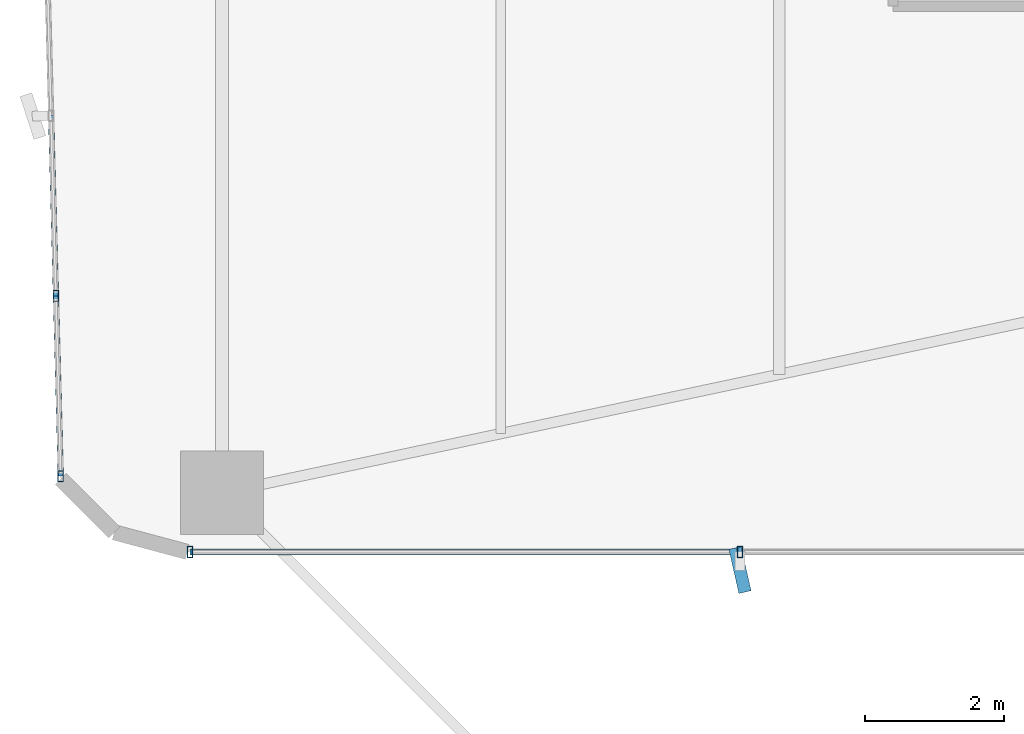
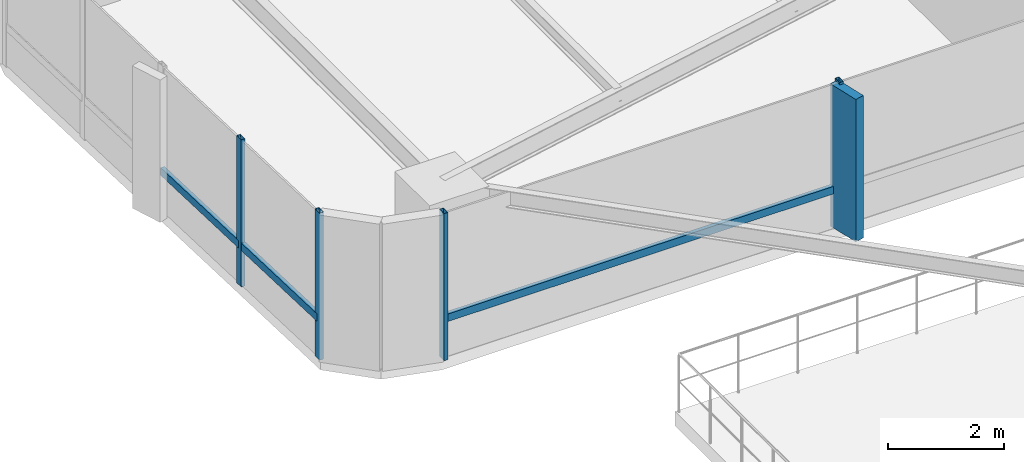
# One storey, part 5 of 27: 8 members, 2 elements without a shape of their own.
"""IFC4 building model written with IfcOpenShell, lengths in metres."""

from ifc_helpers import new_model, si_unit, direction, frame, origin, origin_2d, place, context, subcontext, project, spatial, rectangle, hollow_rectangle, extrude, source, transform, mapped, material, material_profile, profile_set, type_object, element, aggregate, save


model = new_model("IFC4")

# Units and contexts
model_context = context("Model", 3, precision=1e-05, world=origin(), true_north=direction((0.0, 1.0)))
body_context = subcontext(model_context, "Body", "Model", "MODEL_VIEW")
ifc_project = project(units=[si_unit("LENGTHUNIT", "METRE"), si_unit("AREAUNIT", "SQUARE_METRE"), si_unit("VOLUMEUNIT", "CUBIC_METRE"), si_unit("PLANEANGLEUNIT", "RADIAN"), si_unit("MASSUNIT", "GRAM", prefix="KILO")], contexts=[model_context])

# Site, building, storey
site_placement = place(None, origin())
site = spatial("IfcSite", under=ifc_project, at=site_placement, CompositionType="ELEMENT")
building_placement = place(site_placement, origin())
building = spatial("IfcBuilding", under=site, at=building_placement, Name="Sahyath Konkavel Grand Hotel", CompositionType="ELEMENT")
storey_placement = place(building_placement, frame((0.0, 0.0, 23.10009765625)))
storey = spatial("IfcBuildingStorey", under=building, at=storey_placement, Name="L05", CompositionType="ELEMENT", Elevation=23.10009765625)

# Curtain wall, members
ifc_material_1 = material(Name="Anodised Bronze Aluminium & Low-E Glazing", Category="aluminium")
curtain_wall_type = type_object("IfcCurtainWallType", Name="CW-ZONE1", PredefinedType="NOTDEFINED", material=ifc_material_1)
curtain_wall_1_placement = place(storey_placement, origin())
curtain_wall_1 = element("IfcCurtainWall", 1, at=curtain_wall_1_placement, inside=storey, type_object=curtain_wall_type, Name="L05 Unitised Curtain Wall F20", PredefinedType="NOTDEFINED")
ifc_material_2 = material(Name="Anodised Bronze Aluminium", Category="aluminium")
ifc_material_profile_1 = material_profile(ifc_material_2, hollow_rectangle(XDim=0.080078125, YDim=0.159912109375, WallThickness=0.006103515625, at=origin_2d()), Name="RHS 160x80x6")
ifc_profile_set_1 = profile_set([ifc_material_profile_1], Name="Anodised Bronze Aluminium")
member_type_1 = type_object("IfcMemberType", Name="CW-MUL-160", PredefinedType="MULLION", material=ifc_profile_set_1)
shared_shape_1 = source(origin(), body_context, "Body", "SweptSolid", [
    extrude(hollow_rectangle(XDim=0.080078125, YDim=0.159912109375, WallThickness=0.006103515625, at=origin_2d()), origin(), (0.0, 0.0, 1.0), 3.10986328125),
])
member_1_placement = place(storey_placement, frame((-24.589599609375, -3.117431640625, 0.0), z_axis=(0.0, 0.0, 1.0), x_axis=(1.0, 0.0, 0.0)))
member_1 = element("IfcMember", 2, at=member_1_placement, type_object=member_type_1, Name="L05 Curtain Wall Mullion F20-3", PredefinedType="MULLION", context=body_context, shape_type="MappedRepresentation", body=[
    mapped(shared_shape_1, transform((0.0, 0.0, 0.0), scale=1.0)),
])
member_2_placement = place(storey_placement, frame((-24.519775390625, -5.7099609375, 0.0), z_axis=(0.0, 0.0, 1.0), x_axis=(1.0, 0.0, 0.0)))
member_2 = element("IfcMember", 3, at=member_2_placement, type_object=member_type_1, Name="L05 Curtain Wall Mullion F20-4", PredefinedType="MULLION", context=body_context, shape_type="MappedRepresentation", body=[
    mapped(shared_shape_1, transform((0.0, 0.0, 0.0), scale=1.0)),
])

curtain_wall_2_placement = place(storey_placement, origin())
curtain_wall_2 = element("IfcCurtainWall", 4, at=curtain_wall_2_placement, inside=storey, type_object=curtain_wall_type, Name="L05 Unitised Curtain Wall F23", PredefinedType="NOTDEFINED")
member_3_placement = place(storey_placement, frame((-22.659912109375, -6.800048828125, 0.0), z_axis=(0.0, 0.0, 1.0), x_axis=(1.0, 0.0, 0.0)))
member_3 = element("IfcMember", 5, at=member_3_placement, type_object=member_type_1, Name="L05 Curtain Wall Mullion F23-0", PredefinedType="MULLION", context=body_context, shape_type="MappedRepresentation", body=[
    mapped(shared_shape_1, transform((0.0, 0.0, 0.0), scale=1.0)),
])
member_4_placement = place(storey_placement, frame((-14.75, -6.800048828125, 0.0), z_axis=(0.0, 0.0, 1.0), x_axis=(1.0, 0.0, 0.0)))
member_4 = element("IfcMember", 6, at=member_4_placement, type_object=member_type_1, Name="L05 Curtain Wall Mullion F23-1", PredefinedType="MULLION", context=body_context, shape_type="MappedRepresentation", body=[
    mapped(shared_shape_1, transform((0.0, 0.0, 0.0), scale=1.0)),
])
ifc_material_3 = material(Name="Warm Buff Sandstone Cladding on Concrete C50/60", Category="masonry")
ifc_material_profile_2 = material_profile(ifc_material_3, rectangle(XDim=0.179931640625, YDim=0.64990234375, at=origin_2d()), Name="FIN 180x650")
ifc_profile_set_2 = profile_set([ifc_material_profile_2], Name="Warm Buff Sandstone Cladding on Concrete C50/60")
member_type_2 = type_object("IfcMemberType", Name="FIN-SANDSTONE-650", PredefinedType="MULLION", material=ifc_profile_set_2)
shared_shape_2 = source(origin(), body_context, "Body", "SweptSolid", [
    extrude(rectangle(XDim=0.179931640625, YDim=0.64990234375, at=origin_2d()), origin(), (0.0, 0.0, 1.0), 3.010009765625),
])
member_5_placement = place(storey_placement, frame((-14.75, -7.06005859375, 0.0498046875), z_axis=(0.0, 0.0, 1.0), x_axis=(0.975419299024, 0.220356962886, 0.0)))
member_5 = element("IfcMember", 7, at=member_5_placement, type_object=member_type_2, Name="L05 Sandstone Vertical Solar Fin FIN F23-1", PredefinedType="MULLION", context=body_context, shape_type="MappedRepresentation", body=[
    mapped(shared_shape_2, transform((0.0, 0.0, 0.0), scale=1.0)),
])
ifc_material_profile_3 = material_profile(ifc_material_2, hollow_rectangle(XDim=0.080078125, YDim=0.159912109375, WallThickness=0.006103515625, at=origin_2d()), Name="RHS 160x80x6")
ifc_profile_set_3 = profile_set([ifc_material_profile_3], Name="Anodised Bronze Aluminium")
member_type_3 = type_object("IfcMemberType", Name="CW-TRN-160", PredefinedType="USERDEFINED", material=ifc_profile_set_3)
shared_shape_3 = source(origin(), body_context, "Body", "SweptSolid", [
    extrude(hollow_rectangle(XDim=0.080078125, YDim=0.159912109375, WallThickness=0.006103515625, at=origin_2d()), origin(), (0.0, 0.0, 1.0), 7.909912109375),
])
member_6_placement = place(storey_placement, frame((-22.659912109375, -6.800048828125, 0.849853515625), z_axis=(1.0, 0.0, 0.0), x_axis=(0.0, 1.0, 0.0)))
member_6 = element("IfcMember", 8, at=member_6_placement, type_object=member_type_3, Name="L05 Curtain Wall Transom F23-0-spandrel", ObjectType="TRANSOM", PredefinedType="USERDEFINED", context=body_context, shape_type="MappedRepresentation", body=[
    mapped(shared_shape_3, transform((0.0, 0.0, 0.0), scale=1.0)),
])
aggregate(curtain_wall_2, [member_3, member_4, member_5, member_6])

# Member
shared_shape_4 = source(origin(), body_context, "Body", "SweptSolid", [
    extrude(hollow_rectangle(XDim=0.080078125, YDim=0.159912109375, WallThickness=0.006103515625, at=origin_2d()), origin(), (0.0, 0.0, 1.0), 2.593505859375),
])
member_7_placement = place(storey_placement, frame((-24.6591796875, -0.52490234375, 0.849853515625), z_axis=(0.02682902444, -0.999640036937, 0.0), x_axis=(0.999640036937, 0.02682902444, 0.0)))
member_7 = element("IfcMember", 9, at=member_7_placement, type_object=member_type_3, Name="L05 Curtain Wall Transom F20-2-spandrel", ObjectType="TRANSOM", PredefinedType="USERDEFINED", context=body_context, shape_type="MappedRepresentation", body=[
    mapped(shared_shape_4, transform((0.0, 0.0, 0.0), scale=1.0)),
])

member_8_placement = place(storey_placement, frame((-24.589599609375, -3.117431640625, 0.849853515625), z_axis=(0.026923093252, -0.999637507825, 0.0), x_axis=(0.999637507825, 0.026923093252, 0.0)))
member_8 = element("IfcMember", 10, at=member_8_placement, type_object=member_type_3, Name="L05 Curtain Wall Transom F20-3-spandrel", ObjectType="TRANSOM", PredefinedType="USERDEFINED", context=body_context, shape_type="MappedRepresentation", body=[
    mapped(shared_shape_4, transform((0.0, 0.0, 0.0), scale=1.0)),
])

aggregate(curtain_wall_1, [member_1, member_2, member_7, member_8])

save(model, "model.ifc")
